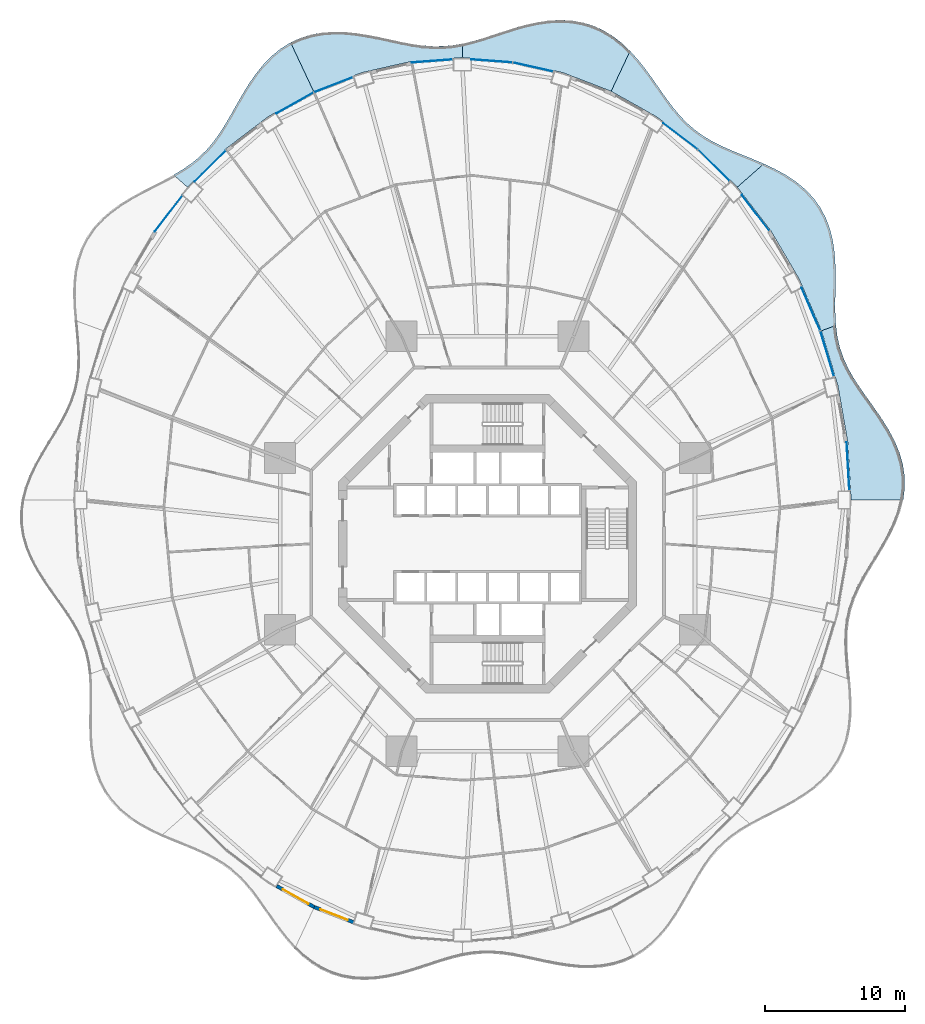
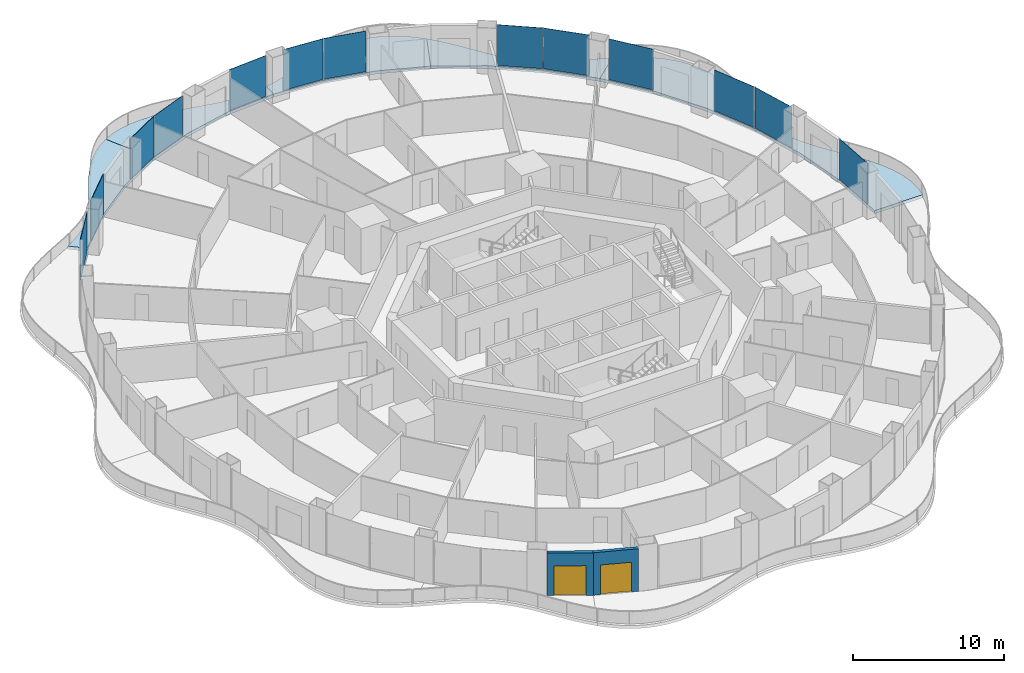
# One storey, part 13 of 22: 13 plates, 6 slabs, 2 doors, 2 walls, 2 openings, 13 elements without a shape of their own.
"""IFC4 building model written with IfcOpenShell, lengths in metres."""

from ifc_helpers import new_model, si_unit, direction, frame, frame_2d, origin, origin_2d, place, context, subcontext, project, spatial, polyline, rectangle, outline, extrude, material, layer, layer_set, type_object, element, fill, aggregate, save


model = new_model("IFC4")

# Units and contexts
model_context = context("Model", 3, precision=1e-05, world=origin(), true_north=direction((0.0, 1.0)))
body_context = subcontext(model_context, "Body", "Model", "MODEL_VIEW")
ifc_project = project(units=[si_unit("LENGTHUNIT", "METRE"), si_unit("AREAUNIT", "SQUARE_METRE"), si_unit("VOLUMEUNIT", "CUBIC_METRE"), si_unit("PLANEANGLEUNIT", "RADIAN"), si_unit("MASSUNIT", "GRAM", prefix="KILO")], contexts=[model_context])

# Site, building, storey
site_placement = place(None, origin())
site = spatial("IfcSite", under=ifc_project, at=site_placement, CompositionType="ELEMENT")
building_placement = place(site_placement, origin())
building = spatial("IfcBuilding", under=site, at=building_placement, Name="Nagisa Residences", CompositionType="ELEMENT")
storey_placement = place(building_placement, frame((0.0, 0.0, 91.800048828125)))
storey = spatial("IfcBuildingStorey", under=building, at=storey_placement, Name="L22", CompositionType="ELEMENT", Elevation=91.800048828125)

# Slabs
ifc_material_1 = material(Name="Concrete C40/50", Category="concrete")
ifc_layer_1 = layer(ifc_material_1, 0.25)
ifc_layer_set_1 = layer_set([ifc_layer_1], Name="BALCONY SLAB 250")
slab_type = type_object("IfcSlabType", Name="BALCONY SLAB 250", PredefinedType="FLOOR", material=ifc_layer_set_1)
slab_1_placement = place(storey_placement, frame((0.0, 0.0, -0.25)))
element("IfcSlab", 1, at=slab_1_placement, inside=storey, type_object=slab_type, Name="slab:L22:bal00", PredefinedType="FLOOR", context=body_context, shape_type="SweptSolid", body=[
    extrude(outline(polyline([(29.6044921875, 3.11767578125), (29.71240234375, 3.96875), (29.703369140625, 4.8203125), (29.575927734375, 5.66552734375), (29.33642578125, 6.497802734375), (28.996826171875, 7.3125), (28.57568359375, 8.105712890625), (28.09521484375, 8.876220703125), (27.580810546875, 9.625244140625), (27.058349609375, 10.356201171875), (26.553466796875, 11.074462890625), (26.0888671875, 11.787353515625), (25.682861328125, 12.503173828125), (25.348876953125, 13.230224609375), (25.093505859375, 13.9765625), (24.91650390625, 14.748779296875), (24.811767578125, 15.551025390625), (23.786865234375, 15.177978515625), (24.951416015625, 11.2744140625), (25.657958984375, 7.231201171875), (25.89501953125, 3.11767578125), (29.6044921875, 3.11767578125)])), origin(), (0.0, 0.0, 1.0), 0.25),
])
slab_2_placement = place(storey_placement, frame((0.0, 0.0, -0.25)))
element("IfcSlab", 2, at=slab_2_placement, inside=storey, type_object=slab_type, Name="slab:L22:bal01", PredefinedType="FLOOR", context=body_context, shape_type="SweptSolid", body=[
    extrude(outline(polyline([(24.811767578125, 15.551025390625), (24.7666015625, 16.35888671875), (24.7607421875, 17.195068359375), (24.7744140625, 18.055419921875), (24.7861328125, 18.932861328125), (24.773681640625, 19.81787109375), (24.71533203125, 20.698974609375), (24.592529296875, 21.563720703125), (24.389892578125, 22.39892578125), (24.096435546875, 23.1923828125), (23.70654296875, 23.93359375), (23.22021484375, 24.6142578125), (22.642822265625, 25.229248046875), (21.984130859375, 25.77734375), (21.258544921875, 26.26123046875), (20.483154296875, 26.687255859375), (19.677001953125, 27.06640625), (17.783203125, 25.402099609375), (20.171875, 22.302734375), (22.1845703125, 18.875244140625), (23.786865234375, 15.177978515625), (24.811767578125, 15.551025390625)])), origin(), (0.0, 0.0, 1.0), 0.25),
])
slab_3_placement = place(storey_placement, frame((0.0, 0.0, -0.25)))
element("IfcSlab", 3, at=slab_3_placement, inside=storey, type_object=slab_type, Name="slab:L22:bal02", PredefinedType="FLOOR", context=body_context, shape_type="SweptSolid", body=[
    extrude(outline(polyline([(19.677001953125, 27.06640625), (18.89794921875, 27.39599609375), (18.124267578125, 27.708251953125), (17.370361328125, 28.017822265625), (16.64794921875, 28.339599609375), (15.96533203125, 28.686767578125), (15.32666015625, 29.07177734375), (14.733154296875, 29.50341796875), (14.181884765625, 29.9873046875), (13.666259765625, 30.525390625), (13.17724609375, 31.11474609375), (12.70361328125, 31.7490234375), (12.233642578125, 32.416748046875), (11.754150390625, 33.103759765625), (11.253662109375, 33.793212890625), (10.7216796875, 34.4658203125), (10.150634765625, 35.102294921875), (8.79833984375, 32.233642578125), (12.047607421875, 30.410400390625), (15.0595703125, 28.1201171875), (17.783203125, 25.402099609375), (19.677001953125, 27.06640625)])), origin(), (0.0, 0.0, 1.0), 0.25),
])
slab_4_placement = place(storey_placement, frame((0.0, 0.0, -0.25)))
element("IfcSlab", 4, at=slab_4_placement, inside=storey, type_object=slab_type, Name="slab:L22:bal03", PredefinedType="FLOOR", context=body_context, shape_type="SweptSolid", body=[
    extrude(outline(polyline([(10.150634765625, 35.102294921875), (9.557861328125, 35.6640625), (8.92138671875, 36.159423828125), (8.241943359375, 36.5751953125), (7.5224609375, 36.902099609375), (6.76806640625, 37.13427734375), (5.986083984375, 37.270263671875), (5.18408203125, 37.31298828125), (4.371337890625, 37.26953125), (3.5556640625, 37.1513671875), (2.744873046875, 36.97265625), (1.9453125, 36.750244140625), (1.161376953125, 36.5029296875), (0.395751953125, 36.249267578125), (-0.351806640625, 36.007568359375), (-1.08251953125, 35.79443359375), (-1.800048828125, 35.623291015625), (-1.800048828125, 34.6328125), (1.81494140625, 34.363037109375), (5.367919921875, 33.558837890625), (8.79833984375, 32.233642578125), (10.150634765625, 35.102294921875)])), origin(), (0.0, 0.0, 1.0), 0.25),
])
slab_5_placement = place(storey_placement, frame((0.0, 0.0, -0.25)))
element("IfcSlab", 5, at=slab_5_placement, inside=storey, type_object=slab_type, Name="slab:L22:bal04", PredefinedType="FLOOR", context=body_context, shape_type="SweptSolid", body=[
    extrude(outline(polyline([(-1.800048828125, 35.623291015625), (-2.509521484375, 35.504150390625), (-3.216552734375, 35.443359375), (-3.927490234375, 35.442138671875), (-4.64794921875, 35.497314453125), (-5.383056640625, 35.601806640625), (-6.13623046875, 35.743896484375), (-6.908935546875, 35.9091796875), (-7.70068359375, 36.080810546875), (-8.5087890625, 36.240478515625), (-9.328125, 36.369873046875), (-10.152099609375, 36.45166015625), (-10.97265625, 36.469970703125), (-11.7802734375, 36.411865234375), (-12.565673828125, 36.268310546875), (-13.320068359375, 36.03369140625), (-14.035400390625, 35.706787109375), (-12.3984375, 32.233642578125), (-8.968017578125, 33.558837890625), (-5.4150390625, 34.363037109375), (-1.800048828125, 34.6328125), (-1.800048828125, 35.623291015625)])), origin(), (0.0, 0.0, 1.0), 0.25),
])
slab_6_placement = place(storey_placement, frame((0.0, 0.0, -0.25)))
element("IfcSlab", 6, at=slab_6_placement, inside=storey, type_object=slab_type, Name="slab:L22:bal05", PredefinedType="FLOOR", context=body_context, shape_type="SweptSolid", body=[
    extrude(outline(polyline([(-14.035400390625, 35.706787109375), (-14.729736328125, 35.2734375), (-15.37109375, 34.752197265625), (-15.958251953125, 34.155029296875), (-16.493408203125, 33.4970703125), (-16.9814453125, 32.79541015625), (-17.430908203125, 32.068603515625), (-17.852783203125, 31.3349609375), (-18.25927734375, 30.612060546875), (-18.6640625, 29.914306640625), (-19.0810546875, 29.25390625), (-19.52294921875, 28.639404296875), (-20.000244140625, 28.0751953125), (-20.52099609375, 27.5615234375), (-21.09033203125, 27.094970703125), (-21.708984375, 26.66845703125), (-22.373779296875, 26.2724609375), (-21.38330078125, 25.402099609375), (-18.65966796875, 28.1201171875), (-15.6474609375, 30.410400390625), (-12.3984375, 32.233642578125), (-14.035400390625, 35.706787109375)])), origin(), (0.0, 0.0, 1.0), 0.25),
])

# Curtain wall, plate
ifc_material_2 = material(Name="Concrete-coloured aluminium curtain wall system", Category="concrete")
ifc_layer_2 = layer(ifc_material_2, 0.159912109375)
ifc_layer_set_2 = layer_set([ifc_layer_2], Name="CW1 CURTAIN WALL")
curtain_wall_type = type_object("IfcCurtainWallType", Name="CW1 CURTAIN WALL", PredefinedType="NOTDEFINED", material=ifc_layer_set_2)
curtain_wall_1_placement = place(storey_placement, origin())
curtain_wall_1 = element("IfcCurtainWall", 7, at=curtain_wall_1_placement, inside=storey, type_object=curtain_wall_type, Name="cw:CW1:L22:00", PredefinedType="NOTDEFINED")
ifc_material_3 = material(Name="Clear laminated glass", Category="glass")
ifc_layer_3 = layer(ifc_material_3, 0.028076171875)
ifc_layer_set_3 = layer_set([ifc_layer_3], Name="CW1 GLASS PANEL")
plate_type = type_object("IfcPlateType", Name="CW1 GLASS PANEL", PredefinedType="CURTAIN_PANEL", material=ifc_layer_set_3)
plate_1_placement = place(storey_placement, frame((25.67626953125, 5.524169921875, 0.14990234375), z_axis=(0.0, 0.0, 1.0), x_axis=(-0.057503492216, 0.998345305184, 0.0)))
plate_1 = element("IfcPlate", 8, at=plate_1_placement, type_object=plate_type, Name="CW1 panel", PredefinedType="CURTAIN_PANEL", context=body_context, shape_type="SweptSolid", body=[
    extrude(rectangle(XDim=3.410400390625, YDim=0.028076171875, at=origin_2d()), origin(), (0.0, 0.0, 1.0), 3.2900390625),
])
aggregate(curtain_wall_1, [plate_1])

curtain_wall_2_placement = place(storey_placement, origin())
curtain_wall_2 = element("IfcCurtainWall", 9, at=curtain_wall_2_placement, inside=storey, type_object=curtain_wall_type, Name="cw:CW1:L22:02", PredefinedType="NOTDEFINED")
plate_2_placement = place(storey_placement, frame((24.19091796875, 13.54345703125, 0.14990234375), z_axis=(0.0, 0.0, 1.0), x_axis=(-0.285860274038, 0.958271310082, 0.0)))
plate_2 = element("IfcPlate", 10, at=plate_2_placement, type_object=plate_type, Name="CW1 panel", PredefinedType="CURTAIN_PANEL", context=body_context, shape_type="SweptSolid", body=[
    extrude(rectangle(XDim=3.363525390625, YDim=0.028076171875, at=origin_2d()), origin(), (0.0, 0.0, 1.0), 3.2900390625),
])
aggregate(curtain_wall_2, [plate_2])

curtain_wall_3_placement = place(storey_placement, origin())
curtain_wall_3 = element("IfcCurtainWall", 11, at=curtain_wall_3_placement, inside=storey, type_object=curtain_wall_type, Name="cw:CW1:L22:03", PredefinedType="NOTDEFINED")
plate_3_placement = place(storey_placement, frame((23.029541015625, 16.72412109375, 0.14990234375), z_axis=(0.0, 0.0, 1.0), x_axis=(-0.397635934147, 0.917543276295, 0.0)))
plate_3 = element("IfcPlate", 12, at=plate_3_placement, type_object=plate_type, Name="CW1 panel", PredefinedType="CURTAIN_PANEL", context=body_context, shape_type="SweptSolid", body=[
    extrude(rectangle(XDim=3.319580078125, YDim=0.028076171875, at=origin_2d()), origin(), (0.0, 0.0, 1.0), 3.2900390625),
])
aggregate(curtain_wall_3, [plate_3])

curtain_wall_4_placement = place(storey_placement, origin())
curtain_wall_4 = element("IfcCurtainWall", 13, at=curtain_wall_4_placement, inside=storey, type_object=curtain_wall_type, Name="cw:CW1:L22:05", PredefinedType="NOTDEFINED")
plate_4_placement = place(storey_placement, frame((19.09423828125, 23.570068359375, 0.14990234375), z_axis=(0.0, 0.0, 1.0), x_axis=(-0.610429828235, 0.792070340816, 0.0)))
plate_4 = element("IfcPlate", 14, at=plate_4_placement, type_object=plate_type, Name="CW1 panel", PredefinedType="CURTAIN_PANEL", context=body_context, shape_type="SweptSolid", body=[
    extrude(rectangle(XDim=3.202880859375, YDim=0.028076171875, at=origin_2d()), origin(), (0.0, 0.0, 1.0), 3.2900390625),
])
aggregate(curtain_wall_4, [plate_4])

curtain_wall_5_placement = place(storey_placement, origin())
curtain_wall_5 = element("IfcCurtainWall", 15, at=curtain_wall_5_placement, inside=storey, type_object=curtain_wall_type, Name="cw:CW1:L22:06", PredefinedType="NOTDEFINED")
plate_5_placement = place(storey_placement, frame((16.11376953125, 26.955322265625, 0.14990234375), z_axis=(0.0, 0.0, 1.0), x_axis=(-0.707835924016, 0.706376885714, 0.0)))
plate_5 = element("IfcPlate", 16, at=plate_5_placement, type_object=plate_type, Name="CW1 panel", PredefinedType="CURTAIN_PANEL", context=body_context, shape_type="SweptSolid", body=[
    extrude(rectangle(XDim=3.137939453125, YDim=0.028076171875, at=origin_2d()), origin(), (0.0, 0.0, 1.0), 3.2900390625),
])
aggregate(curtain_wall_5, [plate_5])

curtain_wall_6_placement = place(storey_placement, origin())
curtain_wall_6 = element("IfcCurtainWall", 17, at=curtain_wall_6_placement, inside=storey, type_object=curtain_wall_type, Name="cw:CW1:L22:07", PredefinedType="NOTDEFINED")
plate_6_placement = place(storey_placement, frame((13.739990234375, 29.023193359375, 0.14990234375), z_axis=(0.0, 0.0, 1.0), x_axis=(-0.79603132756, 0.605255421737, 0.0)))
plate_6 = element("IfcPlate", 18, at=plate_6_placement, type_object=plate_type, Name="CW1 panel", PredefinedType="CURTAIN_PANEL", context=body_context, shape_type="SweptSolid", body=[
    extrude(rectangle(XDim=3.073974609375, YDim=0.028076171875, at=origin_2d()), origin(), (0.0, 0.0, 1.0), 3.2900390625),
])
aggregate(curtain_wall_6, [plate_6])

curtain_wall_7_placement = place(storey_placement, origin())
curtain_wall_7 = element("IfcCurtainWall", 19, at=curtain_wall_7_placement, inside=storey, type_object=curtain_wall_type, Name="cw:CW1:L22:10", PredefinedType="NOTDEFINED")
plate_7_placement = place(storey_placement, frame((3.2275390625, 33.96142578125, 0.14990234375), z_axis=(0.0, 0.0, 1.0), x_axis=(-0.975327274089, 0.2207639201, 0.0)))
plate_7 = element("IfcPlate", 20, at=plate_7_placement, type_object=plate_type, Name="CW1 panel", PredefinedType="CURTAIN_PANEL", context=body_context, shape_type="SweptSolid", body=[
    extrude(rectangle(XDim=2.932861328125, YDim=0.028076171875, at=origin_2d()), origin(), (0.0, 0.0, 1.0), 3.2900390625),
])
aggregate(curtain_wall_7, [plate_7])

curtain_wall_8_placement = place(storey_placement, origin())
curtain_wall_8 = element("IfcCurtainWall", 21, at=curtain_wall_8_placement, inside=storey, type_object=curtain_wall_type, Name="cw:CW1:L22:11", PredefinedType="NOTDEFINED")
plate_8_placement = place(storey_placement, frame((0.295654296875, 34.396240234375, 0.14990234375), z_axis=(0.0, 0.0, 1.0), x_axis=(-0.997230168512, 0.074377355493, 0.0)))
plate_8 = element("IfcPlate", 22, at=plate_8_placement, type_object=plate_type, Name="CW1 panel", PredefinedType="CURTAIN_PANEL", context=body_context, shape_type="SweptSolid", body=[
    extrude(rectangle(XDim=2.9150390625, YDim=0.028076171875, at=origin_2d()), origin(), (0.0, 0.0, 1.0), 3.2900390625),
])
aggregate(curtain_wall_8, [plate_8])

curtain_wall_9_placement = place(storey_placement, origin())
curtain_wall_9 = element("IfcCurtainWall", 23, at=curtain_wall_9_placement, inside=storey, type_object=curtain_wall_type, Name="cw:CW1:L22:12", PredefinedType="NOTDEFINED")
plate_9_placement = place(storey_placement, frame((-3.95556640625, 34.3916015625, 0.14990234375), z_axis=(0.0, 0.0, 1.0), x_axis=(-0.997230168512, -0.074377355493, 0.0)))
plate_9 = element("IfcPlate", 24, at=plate_9_placement, type_object=plate_type, Name="CW1 panel", PredefinedType="CURTAIN_PANEL", context=body_context, shape_type="SweptSolid", body=[
    extrude(rectangle(XDim=2.9150390625, YDim=0.028076171875, at=origin_2d()), origin(), (0.0, 0.0, 1.0), 3.2900390625),
])
aggregate(curtain_wall_9, [plate_9])

curtain_wall_10_placement = place(storey_placement, origin())
curtain_wall_10 = element("IfcCurtainWall", 25, at=curtain_wall_10_placement, inside=storey, type_object=curtain_wall_type, Name="cw:CW1:L22:14", PredefinedType="NOTDEFINED")
plate_10_placement = place(storey_placement, frame((-10.985595703125, 32.69384765625, 0.14990234375), z_axis=(0.0, 0.0, 1.0), x_axis=(-0.932825759707, -0.360327770268, 0.0)))
plate_10 = element("IfcPlate", 26, at=plate_10_placement, type_object=plate_type, Name="CW1 panel", PredefinedType="CURTAIN_PANEL", context=body_context, shape_type="SweptSolid", body=[
    extrude(rectangle(XDim=2.967529296875, YDim=0.028076171875, at=origin_2d()), origin(), (0.0, 0.0, 1.0), 3.2900390625),
])
aggregate(curtain_wall_10, [plate_10])

curtain_wall_11_placement = place(storey_placement, origin())
curtain_wall_11 = element("IfcCurtainWall", 27, at=curtain_wall_11_placement, inside=storey, type_object=curtain_wall_type, Name="cw:CW1:L22:15", PredefinedType="NOTDEFINED")
plate_11_placement = place(storey_placement, frame((-13.7265625, 31.396728515625, 0.14990234375), z_axis=(0.0, 0.0, 1.0), x_axis=(-0.872072377523, -0.489376918501, 0.0)))
plate_11 = element("IfcPlate", 28, at=plate_11_placement, type_object=plate_type, Name="CW1 panel", PredefinedType="CURTAIN_PANEL", context=body_context, shape_type="SweptSolid", body=[
    extrude(rectangle(XDim=3.015625, YDim=0.028076171875, at=origin_2d()), origin(), (0.0, 0.0, 1.0), 3.2900390625),
])
aggregate(curtain_wall_11, [plate_11])

curtain_wall_12_placement = place(storey_placement, origin())
curtain_wall_12 = element("IfcCurtainWall", 29, at=curtain_wall_12_placement, inside=storey, type_object=curtain_wall_type, Name="cw:CW1:L22:17", PredefinedType="NOTDEFINED")
plate_12_placement = place(storey_placement, frame((-19.756103515625, 26.912841796875, 0.14990234375), z_axis=(0.0, 0.0, 1.0), x_axis=(-0.707835924016, -0.706376885714, 0.0)))
plate_12 = element("IfcPlate", 30, at=plate_12_placement, type_object=plate_type, Name="CW1 panel", PredefinedType="CURTAIN_PANEL", context=body_context, shape_type="SweptSolid", body=[
    extrude(rectangle(XDim=3.137939453125, YDim=0.028076171875, at=origin_2d()), origin(), (0.0, 0.0, 1.0), 3.2900390625),
])
aggregate(curtain_wall_12, [plate_12])

curtain_wall_13_placement = place(storey_placement, origin())
curtain_wall_13 = element("IfcCurtainWall", 31, at=curtain_wall_13_placement, inside=storey, type_object=curtain_wall_type, Name="cw:CW1:L22:18", PredefinedType="NOTDEFINED")
plate_13_placement = place(storey_placement, frame((-22.73095703125, 23.5224609375, 0.14990234375), z_axis=(0.0, 0.0, 1.0), x_axis=(-0.610429828235, -0.792070340816, 0.0)))
plate_13 = element("IfcPlate", 32, at=plate_13_placement, type_object=plate_type, Name="CW1 panel", PredefinedType="CURTAIN_PANEL", context=body_context, shape_type="SweptSolid", body=[
    extrude(rectangle(XDim=3.202880859375, YDim=0.028076171875, at=origin_2d()), origin(), (0.0, 0.0, 1.0), 3.2900390625),
])
aggregate(curtain_wall_13, [plate_13])

# Wall, opening, door
ifc_material_4 = material(Name="Precast concrete C40/50", Category="concrete")
ifc_layer_4 = layer(ifc_material_4, 0.25)
ifc_layer_set_4 = layer_set([ifc_layer_4], Name="BALCONY DOOR WALL 250")
wall_type = type_object("IfcWallType", Name="BALCONY DOOR WALL 250", PredefinedType="SOLIDWALL", material=ifc_layer_set_4)
wall_1_placement = place(storey_placement, frame((-12.337158203125, -25.889404296875, 0.0), z_axis=(0.0, 0.0, 1.0), x_axis=(-0.872090167423, 0.489345215451, 0.0)))
wall_1 = element("IfcWall", 33, at=wall_1_placement, inside=storey, type_object=wall_type, Name="wall:L22:bay32", PredefinedType="SOLIDWALL", context=body_context, shape_type="SweptSolid", body=[
    extrude(rectangle(XDim=3.07568359375, YDim=0.25, at=frame_2d((1.537841796875, 0.0))), origin(), (0.0, 0.0, 1.0), 3.43994140625),
])
opening_1_placement = place(wall_1_placement, frame((0.48779296875, 0.0, 0.0)))
opening_1 = element("IfcOpeningElement", 34, at=opening_1_placement, cuts=wall_1, Name="Opening BD-L22-11", PredefinedType="OPENING", context=body_context, shape_type="SweptSolid", body=[
    extrude(rectangle(XDim=2.10009765625, YDim=2.39990234375, at=frame_2d((1.050048828125, 1.199951171875))), frame((0.0, 0.135009765625, 0.0), z_axis=(0.0, -1.0, 0.0), x_axis=(1.0, 0.0, 0.0)), (0.0, 0.0, 1.0), 0.27001953125),
])
ifc_material_5 = material(Name="Aluminium and clear glass", Category="aluminium")
door_type = type_object("IfcDoorType", Name="BALCONY SLIDING DOOR 2100x2400", OperationType="SLIDING_TO_LEFT", PredefinedType="DOOR", material=ifc_material_5)
door_1_placement = place(opening_1_placement, origin())
door_1 = element("IfcDoor", 35, at=door_1_placement, inside=storey, type_object=door_type, Name="door:L22:bay32", OperationType="SLIDING_TO_LEFT", OverallHeight=2.39990234375, OverallWidth=2.10009765625, PredefinedType="DOOR", context=body_context, shape_type="SweptSolid", body=[
    extrude(rectangle(XDim=2.10009765625, YDim=2.39990234375, at=frame_2d((1.050048828125, 1.199951171875))), frame((0.0, 0.02490234375, 0.0), z_axis=(0.0, -1.0, 0.0), x_axis=(1.0, 0.0, 0.0)), (0.0, 0.0, 1.0), 0.050048828125),
])
fill(opening_1, door_1)

wall_2_placement = place(storey_placement, frame((-9.529296875, -26.97265625, 0.0), z_axis=(0.0, 0.0, 1.0), x_axis=(-0.932827091302, 0.360324322982, 0.0)))
wall_2 = element("IfcWall", 36, at=wall_2_placement, inside=storey, type_object=wall_type, Name="wall:L22:bay33", PredefinedType="SOLIDWALL", context=body_context, shape_type="SweptSolid", body=[
    extrude(rectangle(XDim=3.02734375, YDim=0.25, at=frame_2d((1.513671875, 0.0))), origin(), (0.0, 0.0, 1.0), 3.43994140625),
])
opening_2_placement = place(wall_2_placement, frame((0.463623046875, 0.0, 0.0)))
opening_2 = element("IfcOpeningElement", 37, at=opening_2_placement, cuts=wall_2, Name="Opening BD-L22-12", PredefinedType="OPENING", context=body_context, shape_type="SweptSolid", body=[
    extrude(rectangle(XDim=2.10009765625, YDim=2.39990234375, at=frame_2d((1.050048828125, 1.199951171875))), frame((0.0, 0.135009765625, 0.0), z_axis=(0.0, -1.0, 0.0), x_axis=(1.0, 0.0, 0.0)), (0.0, 0.0, 1.0), 0.27001953125),
])
door_2_placement = place(opening_2_placement, origin())
door_2 = element("IfcDoor", 38, at=door_2_placement, inside=storey, type_object=door_type, Name="door:L22:bay33", OperationType="SLIDING_TO_LEFT", OverallHeight=2.39990234375, OverallWidth=2.10009765625, PredefinedType="DOOR", context=body_context, shape_type="SweptSolid", body=[
    extrude(rectangle(XDim=2.10009765625, YDim=2.39990234375, at=frame_2d((1.050048828125, 1.199951171875))), frame((0.0, 0.02490234375, 0.0), z_axis=(0.0, -1.0, 0.0), x_axis=(1.0, 0.0, 0.0)), (0.0, 0.0, 1.0), 0.050048828125),
])
fill(opening_2, door_2)

save(model, "model.ifc")
